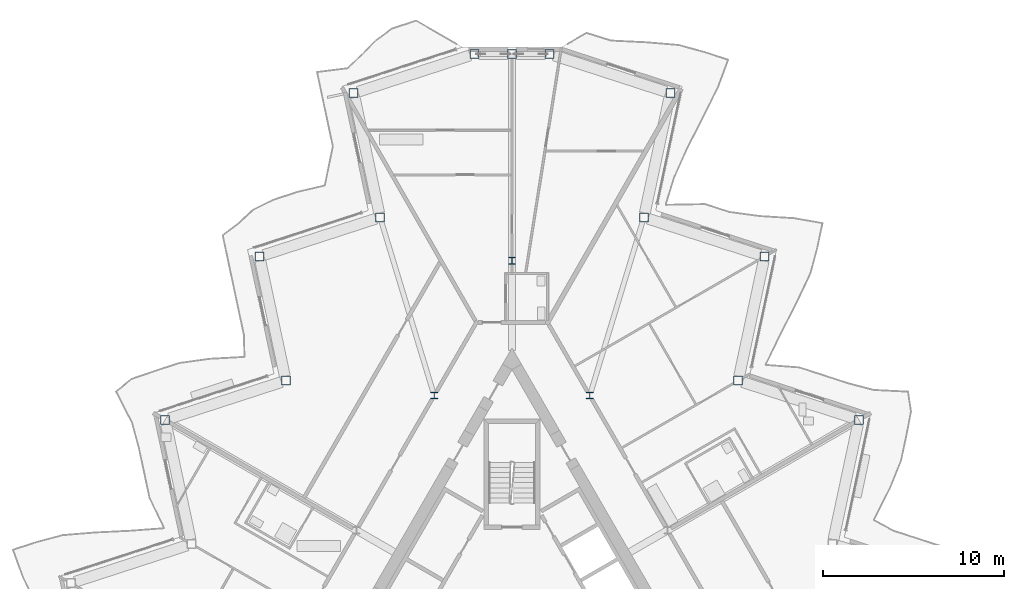
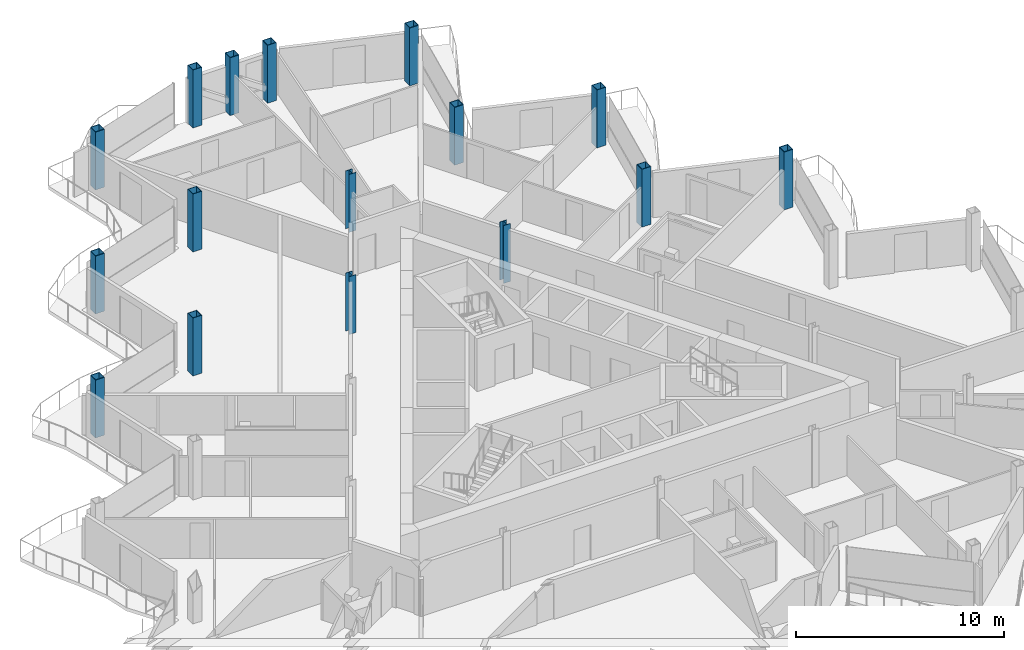
# One storey, part 3 of 27: 16 columns.
"""IFC4 building model written with IfcOpenShell, lengths in metres."""

from ifc_helpers import new_model, si_unit, direction, frame, origin, origin_2d, place, context, subcontext, project, spatial, hollow_rectangle, i_section, extrude, material, material_profile, profile_set, type_object, element, save


model = new_model("IFC4")

# Units and contexts
model_context = context("Model", 3, precision=1e-05, world=origin(), true_north=direction((0.0, 1.0)))
body_context = subcontext(model_context, "Body", "Model", "MODEL_VIEW")
ifc_project = project(units=[si_unit("LENGTHUNIT", "METRE"), si_unit("AREAUNIT", "SQUARE_METRE"), si_unit("VOLUMEUNIT", "CUBIC_METRE"), si_unit("PLANEANGLEUNIT", "RADIAN"), si_unit("MASSUNIT", "GRAM", prefix="KILO")], contexts=[model_context])

# Site, building, storey
site_placement = place(None, origin())
site = spatial("IfcSite", under=ifc_project, at=site_placement, CompositionType="ELEMENT")
building_placement = place(site_placement, origin())
building = spatial("IfcBuilding", under=site, at=building_placement, Name="Cormorant Prow Tower", CompositionType="ELEMENT")
storey_placement = place(building_placement, frame((0.0, 0.0, 361.0)))
storey = spatial("IfcBuildingStorey", under=building, at=storey_placement, Name="L80", CompositionType="ELEMENT", Elevation=361.0)

# Columns
ifc_material_1 = material(Name="Structural steel ASTM A572 Gr 50", Category="steel")
ifc_material_profile_1 = material_profile(ifc_material_1, hollow_rectangle(XDim=0.5, YDim=0.5, WallThickness=0.030029296875, at=origin_2d()), Name="Box 500x500x30")
ifc_profile_set_1 = profile_set([ifc_material_profile_1], Name="Structural steel ASTM A572 Gr 50")
column_type_1 = type_object("IfcColumnType", Name="Perimeter box column 500x500x30", PredefinedType="COLUMN", material=ifc_profile_set_1)
for number, where, z_axis, x_axis, name in (
    (1, (19.128662109375, 11.0439453125, 0.0), (0.0, 0.0, 1.0), (1.0, 0.0, 0.0), "Perimeter column C7 at ENE05 L80"),
    (2, (12.473876953125, 13.206298828125, 0.0), (0.0, 0.0, 1.0), (1.0, 0.0, 0.0), "Perimeter column C7 at ENE06 L80"),
    (3, (13.9287109375, 20.050537109375, 0.0), (0.0, 0.0, 1.0), (1.0, 0.0, 0.0), "Perimeter column C7 at ENE07 L80"),
    (4, (7.273681640625, 22.212890625, 0.0), (0.0, 0.0, 1.0), (1.0, 0.0, 0.0), "Perimeter column C7 at ENE08 L80"),
    (5, (8.728515625, 29.05712890625, 0.0), (0.0, 0.0, 1.0), (1.0, 0.0, 0.0), "Perimeter column C7 at ENE09 L80"),
    (6, (2.07373046875, 31.219482421875, 0.0), (0.0, 0.0, 1.0), (1.0, 0.0, 0.0), "Perimeter column C7 at N00 L80"),
    (7, (0.0, 31.219482421875, 0.0), (0.0, 0.0, 1.0), (1.0, 0.0, 0.0), "Perimeter column C7 at N01 L80"),
    (8, (-2.07373046875, 31.219482421875, 0.0), (0.0, 0.0, 1.0), (1.0, 0.0, 0.0), "Perimeter column C7 at WNW00 L80"),
    (9, (-8.728515625, 29.05712890625, 0.0), (0.0, 0.0, 1.0), (1.0, 0.0, 0.0), "Perimeter column C7 at WNW01 L80"),
    (10, (-7.273681640625, 22.212890625, 0.0), (0.0, 0.0, 1.0), (1.0, 0.0, 0.0), "Perimeter column C7 at WNW02 L80"),
    (11, (-13.9287109375, 20.050537109375, 0.0), (0.0, 0.0, 1.0), (1.0, 0.0, 0.0), "Perimeter column C7 at WNW03 L80"),
    (12, (-12.473876953125, 13.206298828125, 0.0), (0.0, 0.0, 1.0), (1.0, 0.0, 0.0), "Perimeter column C7 at WNW04 L80"),
    (13, (-19.128662109375, 11.0439453125, 0.0), (0.0, 0.0, 1.0), (1.0, 0.0, 0.0), "Perimeter column C7 at WNW05 L80"),
):
    element("IfcColumn", number, at=place(storey_placement, frame(where, z_axis=z_axis, x_axis=x_axis)), inside=storey, type_object=column_type_1, Name=name, PredefinedType="COLUMN", context=body_context, shape_type="SweptSolid", body=[
        extrude(hollow_rectangle(XDim=0.5, YDim=0.5, WallThickness=0.030029296875, at=origin_2d()), origin(), (0.0, 0.0, 1.0), 3.39990234375),
    ])
ifc_material_2 = material(Name="Structural steel ASTM A992 Gr 50", Category="steel")
ifc_material_profile_2 = material_profile(ifc_material_2, i_section(OverallWidth=0.3740234375, OverallDepth=0.372314453125, WebThickness=0.016357421875, FlangeThickness=0.026123046875, at=origin_2d()), Name="W14x132")
ifc_profile_set_2 = profile_set([ifc_material_profile_2], Name="Structural steel ASTM A992 Gr 50")
column_type_2 = type_object("IfcColumnType", Name="Ring column W14x132", PredefinedType="COLUMN", material=ifc_profile_set_2)
for number, where, z_axis, x_axis, name in (
    (14, (0.0, 19.81103515625, 0.0), (0.0, 0.0, 1.0), (1.0, 0.0, 0.0), "Ring column 1 L80"),
    (15, (-4.289306640625, 12.3818359375, 0.0), (0.0, 0.0, 1.0), (1.0, 0.0, 0.0), "Ring column 2 L80"),
    (16, (4.289306640625, 12.3818359375, 0.0), (0.0, 0.0, 1.0), (1.0, 0.0, 0.0), "Ring column 12 L80"),
):
    element("IfcColumn", number, at=place(storey_placement, frame(where, z_axis=z_axis, x_axis=x_axis)), inside=storey, type_object=column_type_2, Name=name, PredefinedType="COLUMN", context=body_context, shape_type="SweptSolid", body=[
        extrude(i_section(OverallWidth=0.3740234375, OverallDepth=0.372314453125, WebThickness=0.016357421875, FlangeThickness=0.026123046875, at=origin_2d()), origin(), (0.0, 0.0, 1.0), 3.39990234375),
    ])

save(model, "model.ifc")
